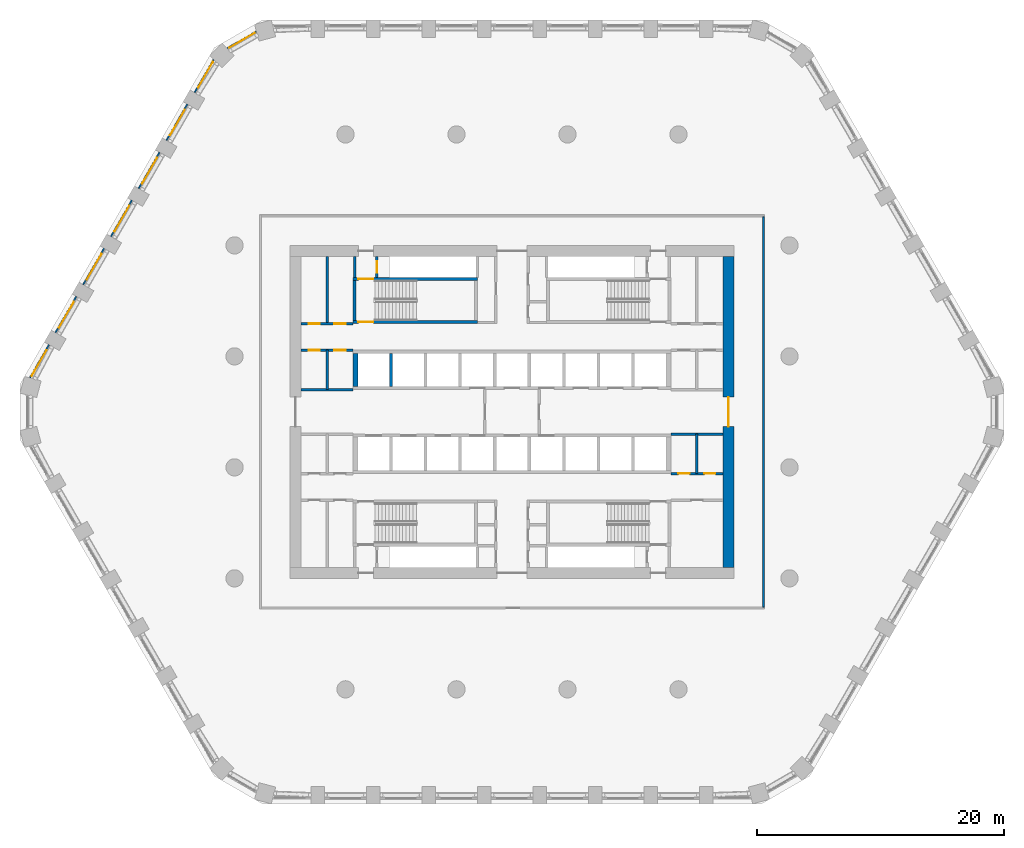
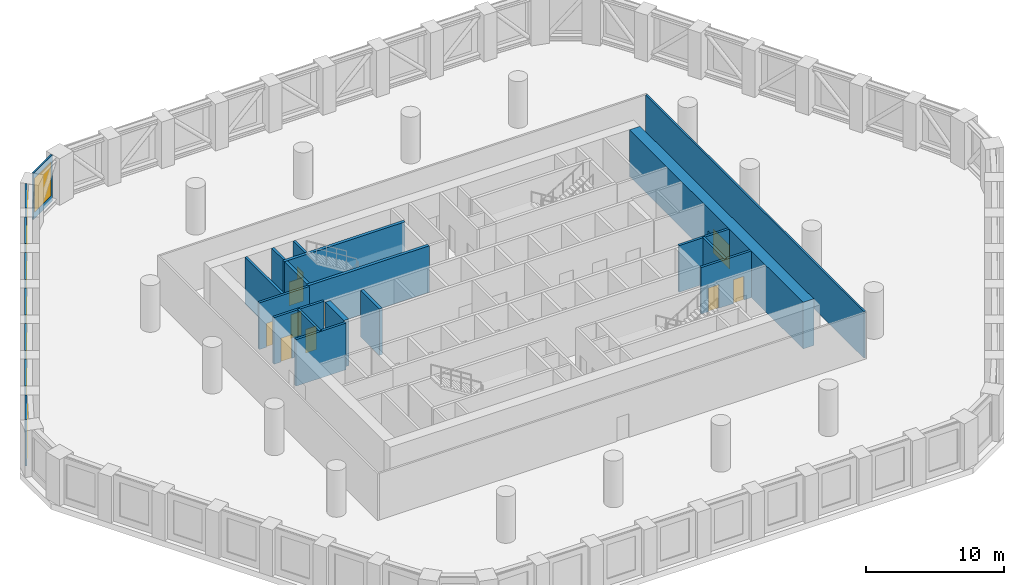
# One storey, part 6 of 18: 25 walls, 10 doors, 8 windows, 18 openings.
"""IFC4 building model written with IfcOpenShell, lengths in metres."""

from ifc_helpers import new_model, si_unit, direction, frame, frame_2d, origin, place, context, subcontext, project, spatial, polyline, rectangle, outline, extrude, material, layer, layer_set, type_object, element, fill, save


model = new_model("IFC4")

# Units and contexts
model_context = context("Model", 3, precision=1e-05, world=origin(), true_north=direction((0.0, 1.0)))
body_context = subcontext(model_context, "Body", "Model", "MODEL_VIEW")
ifc_project = project(units=[si_unit("LENGTHUNIT", "METRE"), si_unit("AREAUNIT", "SQUARE_METRE"), si_unit("VOLUMEUNIT", "CUBIC_METRE"), si_unit("PLANEANGLEUNIT", "RADIAN"), si_unit("MASSUNIT", "GRAM", prefix="KILO")], contexts=[model_context])

# Site, building, storey
site_placement = place(None, origin())
site = spatial("IfcSite", under=ifc_project, at=site_placement, CompositionType="ELEMENT")
building_placement = place(site_placement, origin())
building = spatial("IfcBuilding", under=site, at=building_placement, Name="Dhurran Vertical Campus", CompositionType="ELEMENT")
storey_placement = place(building_placement, frame((0.0, 0.0, 76.800048828125)))
storey = spatial("IfcBuildingStorey", under=building, at=storey_placement, Name="L18 Plant", CompositionType="ELEMENT", Elevation=76.800048828125)

# Wall, opening, window
ifc_material_1 = material(Name="Precast concrete C50/60", Category="concrete")
ifc_layer_1 = layer(ifc_material_1, 0.1201171875)
ifc_layer_set_1 = layer_set([ifc_layer_1], Name="Precast concrete C50/60")
wall_type_1 = type_object("IfcWallType", Name="Precast louvre-bay panel 120", PredefinedType="SOLIDWALL", material=ifc_layer_set_1)
wall_1_placement = place(storey_placement, frame((-20.7421875, 30.85107421875, 0.0), z_axis=(0.0, 0.0, 1.0), x_axis=(-0.866024081565, -0.500002290144, 0.0)))
wall_1 = element("IfcWall", 1, at=wall_1_placement, inside=storey, type_object=wall_type_1, Name="EW4 L18.35", PredefinedType="SOLIDWALL", context=body_context, shape_type="SweptSolid", body=[
    extrude(rectangle(XDim=2.71875, YDim=0.1201171875, at=frame_2d((1.359375, 0.0))), origin(), (0.0, 0.0, 1.0), 4.125),
])
opening_1_placement = place(wall_1_placement, frame((0.159423828125, 0.0, 0.60009765625)))
opening_1 = element("IfcOpeningElement", 2, at=opening_1_placement, cuts=wall_1, Name="Opening WT4", PredefinedType="OPENING", context=body_context, shape_type="SweptSolid", body=[
    extrude(rectangle(XDim=2.39990234375, YDim=3.0, at=frame_2d((1.199951171875, 1.5))), frame((0.0, 0.070068359375, 0.0), z_axis=(0.0, -1.0, 0.0), x_axis=(1.0, 0.0, 0.0)), (0.0, 0.0, 1.0), 0.14013671875),
])
ifc_material_2 = material(Name="Aluminium louvre", Category="aluminium")
window_type = type_object("IfcWindowType", Name="Louvred plant vent 2400 x 3000", PartitioningType="SINGLE_PANEL", PredefinedType="WINDOW", material=ifc_material_2)
window_1_placement = place(opening_1_placement, origin())
window_1 = element("IfcWindow", 3, at=window_1_placement, inside=storey, type_object=window_type, Name="WT4 L18.35", OverallHeight=3.0, OverallWidth=2.39990234375, PartitioningType="SINGLE_PANEL", PredefinedType="WINDOW", context=body_context, shape_type="SweptSolid", body=[
    extrude(rectangle(XDim=2.39990234375, YDim=3.0, at=frame_2d((1.199951171875, 1.5))), frame((0.0, 0.06005859375, 0.0), z_axis=(0.0, -1.0, 0.0), x_axis=(1.0, 0.0, 0.0)), (0.0, 0.0, 1.0), 0.02001953125),
])
fill(opening_1, window_1)

wall_2_placement = place(storey_placement, frame((-24.19677734375, 28.567138671875, 0.0), z_axis=(0.0, 0.0, 1.0), x_axis=(-0.49996174997, -0.866047486323, 0.0)))
wall_2 = element("IfcWall", 4, at=wall_2_placement, inside=storey, type_object=wall_type_1, Name="EW4 L18.36", PredefinedType="SOLIDWALL", context=body_context, shape_type="SweptSolid", body=[
    extrude(rectangle(XDim=3.091064453125, YDim=0.1201171875, at=frame_2d((1.54541015625, 0.0))), origin(), (0.0, 0.0, 1.0), 4.125),
])
opening_2_placement = place(wall_2_placement, frame((0.19140625, 0.0, 0.60009765625)))
opening_2 = element("IfcOpeningElement", 5, at=opening_2_placement, cuts=wall_2, Name="Opening WT4", PredefinedType="OPENING", context=body_context, shape_type="SweptSolid", body=[
    extrude(rectangle(XDim=2.39990234375, YDim=3.0, at=frame_2d((1.199951171875, 1.5))), frame((0.0, 0.070068359375, 0.0), z_axis=(0.0, -1.0, 0.0), x_axis=(1.0, 0.0, 0.0)), (0.0, 0.0, 1.0), 0.14013671875),
])
window_2_placement = place(opening_2_placement, origin())
window_2 = element("IfcWindow", 6, at=window_2_placement, inside=storey, type_object=window_type, Name="WT4 L18.36", OverallHeight=3.0, OverallWidth=2.39990234375, PartitioningType="SINGLE_PANEL", PredefinedType="WINDOW", context=body_context, shape_type="SweptSolid", body=[
    extrude(rectangle(XDim=2.39990234375, YDim=3.0, at=frame_2d((1.199951171875, 1.5))), frame((0.0, 0.06005859375, 0.0), z_axis=(0.0, -1.0, 0.0), x_axis=(1.0, 0.0, 0.0)), (0.0, 0.0, 1.0), 0.02001953125),
])
fill(opening_2, window_2)

wall_3_placement = place(storey_placement, frame((-26.3251953125, 24.95556640625, 0.0), z_axis=(0.0, 0.0, 1.0), x_axis=(-0.499993955907, -0.866028893315, 0.0)))
wall_3 = element("IfcWall", 7, at=wall_3_placement, inside=storey, type_object=wall_type_1, Name="EW4 L18.37", PredefinedType="SOLIDWALL", context=body_context, shape_type="SweptSolid", body=[
    extrude(rectangle(XDim=3.39892578125, YDim=0.1201171875, at=frame_2d((1.699462890625, 0.0))), origin(), (0.0, 0.0, 1.0), 4.125),
])
opening_3_placement = place(wall_3_placement, frame((0.49951171875, 0.0, 0.60009765625)))
opening_3 = element("IfcOpeningElement", 8, at=opening_3_placement, cuts=wall_3, Name="Opening WT4", PredefinedType="OPENING", context=body_context, shape_type="SweptSolid", body=[
    extrude(rectangle(XDim=2.39990234375, YDim=3.0, at=frame_2d((1.199951171875, 1.5))), frame((0.0, 0.070068359375, 0.0), z_axis=(0.0, -1.0, 0.0), x_axis=(1.0, 0.0, 0.0)), (0.0, 0.0, 1.0), 0.14013671875),
])
window_3_placement = place(opening_3_placement, origin())
window_3 = element("IfcWindow", 9, at=window_3_placement, inside=storey, type_object=window_type, Name="WT4 L18.37", OverallHeight=3.0, OverallWidth=2.39990234375, PartitioningType="SINGLE_PANEL", PredefinedType="WINDOW", context=body_context, shape_type="SweptSolid", body=[
    extrude(rectangle(XDim=2.39990234375, YDim=3.0, at=frame_2d((1.199951171875, 1.5))), frame((0.0, 0.06005859375, 0.0), z_axis=(0.0, -1.0, 0.0), x_axis=(1.0, 0.0, 0.0)), (0.0, 0.0, 1.0), 0.02001953125),
])
fill(opening_3, window_3)

wall_4_placement = place(storey_placement, frame((-28.5751953125, 21.058349609375, 0.0), z_axis=(0.0, 0.0, 1.0), x_axis=(-0.499993955907, -0.866028893315, 0.0)))
wall_4 = element("IfcWall", 10, at=wall_4_placement, inside=storey, type_object=wall_type_1, Name="EW4 L18.38", PredefinedType="SOLIDWALL", context=body_context, shape_type="SweptSolid", body=[
    extrude(rectangle(XDim=3.39892578125, YDim=0.1201171875, at=frame_2d((1.699462890625, 0.0))), origin(), (0.0, 0.0, 1.0), 4.125),
])
opening_4_placement = place(wall_4_placement, frame((0.49951171875, 0.0, 0.60009765625)))
opening_4 = element("IfcOpeningElement", 11, at=opening_4_placement, cuts=wall_4, Name="Opening WT4", PredefinedType="OPENING", context=body_context, shape_type="SweptSolid", body=[
    extrude(rectangle(XDim=2.39990234375, YDim=3.0, at=frame_2d((1.199951171875, 1.5))), frame((0.0, 0.070068359375, 0.0), z_axis=(0.0, -1.0, 0.0), x_axis=(1.0, 0.0, 0.0)), (0.0, 0.0, 1.0), 0.14013671875),
])
window_4_placement = place(opening_4_placement, origin())
window_4 = element("IfcWindow", 12, at=window_4_placement, inside=storey, type_object=window_type, Name="WT4 L18.38", OverallHeight=3.0, OverallWidth=2.39990234375, PartitioningType="SINGLE_PANEL", PredefinedType="WINDOW", context=body_context, shape_type="SweptSolid", body=[
    extrude(rectangle(XDim=2.39990234375, YDim=3.0, at=frame_2d((1.199951171875, 1.5))), frame((0.0, 0.06005859375, 0.0), z_axis=(0.0, -1.0, 0.0), x_axis=(1.0, 0.0, 0.0)), (0.0, 0.0, 1.0), 0.02001953125),
])
fill(opening_4, window_4)

wall_5_placement = place(storey_placement, frame((-30.8251953125, 17.1611328125, 0.0), z_axis=(0.0, 0.0, 1.0), x_axis=(-0.499993955907, -0.866028893315, 0.0)))
wall_5 = element("IfcWall", 13, at=wall_5_placement, inside=storey, type_object=wall_type_1, Name="EW4 L18.39", PredefinedType="SOLIDWALL", context=body_context, shape_type="SweptSolid", body=[
    extrude(rectangle(XDim=3.39892578125, YDim=0.1201171875, at=frame_2d((1.699462890625, 0.0))), origin(), (0.0, 0.0, 1.0), 4.125),
])
opening_5_placement = place(wall_5_placement, frame((0.49951171875, 0.0, 0.60009765625)))
opening_5 = element("IfcOpeningElement", 14, at=opening_5_placement, cuts=wall_5, Name="Opening WT4", PredefinedType="OPENING", context=body_context, shape_type="SweptSolid", body=[
    extrude(rectangle(XDim=2.39990234375, YDim=3.0, at=frame_2d((1.199951171875, 1.5))), frame((0.0, 0.070068359375, 0.0), z_axis=(0.0, -1.0, 0.0), x_axis=(1.0, 0.0, 0.0)), (0.0, 0.0, 1.0), 0.14013671875),
])
window_5_placement = place(opening_5_placement, origin())
window_5 = element("IfcWindow", 15, at=window_5_placement, inside=storey, type_object=window_type, Name="WT4 L18.39", OverallHeight=3.0, OverallWidth=2.39990234375, PartitioningType="SINGLE_PANEL", PredefinedType="WINDOW", context=body_context, shape_type="SweptSolid", body=[
    extrude(rectangle(XDim=2.39990234375, YDim=3.0, at=frame_2d((1.199951171875, 1.5))), frame((0.0, 0.06005859375, 0.0), z_axis=(0.0, -1.0, 0.0), x_axis=(1.0, 0.0, 0.0)), (0.0, 0.0, 1.0), 0.02001953125),
])
fill(opening_5, window_5)

wall_6_placement = place(storey_placement, frame((-33.0751953125, 13.26416015625, 0.0), z_axis=(0.0, 0.0, 1.0), x_axis=(-0.499993955907, -0.866028893315, 0.0)))
wall_6 = element("IfcWall", 16, at=wall_6_placement, inside=storey, type_object=wall_type_1, Name="EW4 L18.40", PredefinedType="SOLIDWALL", context=body_context, shape_type="SweptSolid", body=[
    extrude(rectangle(XDim=3.39892578125, YDim=0.1201171875, at=frame_2d((1.699462890625, 0.0))), origin(), (0.0, 0.0, 1.0), 4.125),
])
opening_6_placement = place(wall_6_placement, frame((0.49951171875, 0.0, 0.60009765625)))
opening_6 = element("IfcOpeningElement", 17, at=opening_6_placement, cuts=wall_6, Name="Opening WT4", PredefinedType="OPENING", context=body_context, shape_type="SweptSolid", body=[
    extrude(rectangle(XDim=2.39990234375, YDim=3.0, at=frame_2d((1.199951171875, 1.5))), frame((0.0, 0.070068359375, 0.0), z_axis=(0.0, -1.0, 0.0), x_axis=(1.0, 0.0, 0.0)), (0.0, 0.0, 1.0), 0.14013671875),
])
window_6_placement = place(opening_6_placement, origin())
window_6 = element("IfcWindow", 18, at=window_6_placement, inside=storey, type_object=window_type, Name="WT4 L18.40", OverallHeight=3.0, OverallWidth=2.39990234375, PartitioningType="SINGLE_PANEL", PredefinedType="WINDOW", context=body_context, shape_type="SweptSolid", body=[
    extrude(rectangle(XDim=2.39990234375, YDim=3.0, at=frame_2d((1.199951171875, 1.5))), frame((0.0, 0.06005859375, 0.0), z_axis=(0.0, -1.0, 0.0), x_axis=(1.0, 0.0, 0.0)), (0.0, 0.0, 1.0), 0.02001953125),
])
fill(opening_6, window_6)

wall_7_placement = place(storey_placement, frame((-35.3251953125, 9.366943359375, 0.0), z_axis=(0.0, 0.0, 1.0), x_axis=(-0.499993955907, -0.866028893315, 0.0)))
wall_7 = element("IfcWall", 19, at=wall_7_placement, inside=storey, type_object=wall_type_1, Name="EW4 L18.41", PredefinedType="SOLIDWALL", context=body_context, shape_type="SweptSolid", body=[
    extrude(rectangle(XDim=3.39892578125, YDim=0.1201171875, at=frame_2d((1.699462890625, 0.0))), origin(), (0.0, 0.0, 1.0), 4.125),
])
opening_7_placement = place(wall_7_placement, frame((0.49951171875, 0.0, 0.60009765625)))
opening_7 = element("IfcOpeningElement", 20, at=opening_7_placement, cuts=wall_7, Name="Opening WT4", PredefinedType="OPENING", context=body_context, shape_type="SweptSolid", body=[
    extrude(rectangle(XDim=2.39990234375, YDim=3.0, at=frame_2d((1.199951171875, 1.5))), frame((0.0, 0.070068359375, 0.0), z_axis=(0.0, -1.0, 0.0), x_axis=(1.0, 0.0, 0.0)), (0.0, 0.0, 1.0), 0.14013671875),
])
window_7_placement = place(opening_7_placement, origin())
window_7 = element("IfcWindow", 21, at=window_7_placement, inside=storey, type_object=window_type, Name="WT4 L18.41", OverallHeight=3.0, OverallWidth=2.39990234375, PartitioningType="SINGLE_PANEL", PredefinedType="WINDOW", context=body_context, shape_type="SweptSolid", body=[
    extrude(rectangle(XDim=2.39990234375, YDim=3.0, at=frame_2d((1.199951171875, 1.5))), frame((0.0, 0.06005859375, 0.0), z_axis=(0.0, -1.0, 0.0), x_axis=(1.0, 0.0, 0.0)), (0.0, 0.0, 1.0), 0.02001953125),
])
fill(opening_7, window_7)

wall_8_placement = place(storey_placement, frame((-37.542724609375, 5.451171875, 0.0), z_axis=(0.0, 0.0, 1.0), x_axis=(-0.499995950774, -0.866027741594, 0.0)))
wall_8 = element("IfcWall", 22, at=wall_8_placement, inside=storey, type_object=wall_type_1, Name="EW4 L18.42", PredefinedType="SOLIDWALL", context=body_context, shape_type="SweptSolid", body=[
    extrude(rectangle(XDim=3.0908203125, YDim=0.1201171875, at=frame_2d((1.54541015625, 0.0))), origin(), (0.0, 0.0, 1.0), 4.125),
])
opening_8_placement = place(wall_8_placement, frame((0.49951171875, 0.0, 0.60009765625)))
opening_8 = element("IfcOpeningElement", 23, at=opening_8_placement, cuts=wall_8, Name="Opening WT4", PredefinedType="OPENING", context=body_context, shape_type="SweptSolid", body=[
    extrude(rectangle(XDim=2.39990234375, YDim=3.0, at=frame_2d((1.199951171875, 1.5))), frame((0.0, 0.070068359375, 0.0), z_axis=(0.0, -1.0, 0.0), x_axis=(1.0, 0.0, 0.0)), (0.0, 0.0, 1.0), 0.14013671875),
])
window_8_placement = place(opening_8_placement, origin())
window_8 = element("IfcWindow", 24, at=window_8_placement, inside=storey, type_object=window_type, Name="WT4 L18.42", OverallHeight=3.0, OverallWidth=2.39990234375, PartitioningType="SINGLE_PANEL", PredefinedType="WINDOW", context=body_context, shape_type="SweptSolid", body=[
    extrude(rectangle(XDim=2.39990234375, YDim=3.0, at=frame_2d((1.199951171875, 1.5))), frame((0.0, 0.06005859375, 0.0), z_axis=(0.0, -1.0, 0.0), x_axis=(1.0, 0.0, 0.0)), (0.0, 0.0, 1.0), 0.02001953125),
])
fill(opening_8, window_8)

# Wall, opening, door
ifc_material_3 = material(Name="Concrete C60/75", Category="concrete")
ifc_layer_2 = layer(ifc_material_3, 0.89990234375)
ifc_layer_set_2 = layer_set([ifc_layer_2], Name="Concrete C60/75")
wall_type_2 = type_object("IfcWallType", Name="co-CORE-WALL-C0-900", PredefinedType="SHEAR", material=ifc_layer_set_2)
wall_9_placement = place(storey_placement, frame((17.550048828125, -12.60009765625, 0.0), z_axis=(0.0, 0.0, 1.0), x_axis=(0.0, 1.0, 0.0)))
wall_9 = element("IfcWall", 25, at=wall_9_placement, inside=storey, type_object=wall_type_2, Name="Core wall E L18", PredefinedType="SHEAR", context=body_context, shape_type="SweptSolid", body=[
    extrude(rectangle(XDim=25.2001953125, YDim=0.89990234375, at=frame_2d((12.60009765625, 0.0))), origin(), (0.0, 0.0, 1.0), 4.125),
])
opening_9_placement = place(wall_9_placement, frame((11.39990234375, 0.0, 0.0)))
opening_9 = element("IfcOpeningElement", 26, at=opening_9_placement, cuts=wall_9, Name="Opening CL2", PredefinedType="OPENING", context=body_context, shape_type="SweptSolid", body=[
    extrude(rectangle(XDim=2.39990234375, YDim=2.10009765625, at=frame_2d((1.199951171875, 1.050048828125))), frame((0.0, 0.4599609375, 0.0), z_axis=(0.0, -1.0, 0.0), x_axis=(1.0, 0.0, 0.0)), (0.0, 0.0, 1.0), 0.919921875),
])
ifc_material_4 = material(Name="Fire-rated glazed door set")
door_type_1 = type_object("IfcDoorType", Name="co-D-LOBBY 2400x2100", OperationType="DOUBLE_DOOR_DOUBLE_SWING", PredefinedType="DOOR", material=ifc_material_4)
door_1_placement = place(opening_9_placement, origin())
door_1 = element("IfcDoor", 27, at=door_1_placement, inside=storey, type_object=door_type_1, Name="Lift lobby door E L18", OperationType="DOUBLE_DOOR_DOUBLE_SWING", OverallHeight=2.10009765625, OverallWidth=2.39990234375, PredefinedType="DOOR", context=body_context, shape_type="SweptSolid", body=[
    extrude(rectangle(XDim=2.39990234375, YDim=2.10009765625, at=frame_2d((1.199951171875, 1.050048828125))), frame((0.0, 0.02490234375, 0.0), z_axis=(0.0, -1.0, 0.0), x_axis=(1.0, 0.0, 0.0)), (0.0, 0.0, 1.0), 0.050048828125),
])
fill(opening_9, door_1)

# Wall
ifc_material_5 = material(Name="Fire-rated masonry blockwork", Category="masonry")
ifc_layer_3 = layer(ifc_material_5, 0.199951171875)
ifc_layer_set_3 = layer_set([ifc_layer_3], Name="Fire-rated masonry blockwork")
wall_type_3 = type_object("IfcWallType", Name="co-FIRE-PARTITION-200", PredefinedType="PARTITIONING", material=ifc_layer_set_3)
wall_10_placement = place(storey_placement, frame((-12.75, 10.89990234375, 0.0), z_axis=(0.0, 0.0, 1.0), x_axis=(0.0, 1.0, 0.0)))
element("IfcWall", 28, at=wall_10_placement, inside=storey, type_object=wall_type_3, Name="Core partition pass-ST1-o L18", PredefinedType="PARTITIONING", context=body_context, shape_type="SweptSolid", body=[
    extrude(rectangle(XDim=1.7001953125, YDim=0.199951171875, at=frame_2d((0.85009765625, 0.0))), origin(), (0.0, 0.0, 1.0), 4.125),
])

# Wall, opening, door
wall_11_placement = place(storey_placement, frame((-10.949951171875, 10.89990234375, 0.0), z_axis=(0.0, 0.0, 1.0), x_axis=(0.0, 1.0, 0.0)))
wall_11 = element("IfcWall", 29, at=wall_11_placement, inside=storey, type_object=wall_type_3, Name="Core partition pass-ST1-i L18", PredefinedType="PARTITIONING", context=body_context, shape_type="SweptSolid", body=[
    extrude(rectangle(XDim=1.7001953125, YDim=0.199951171875, at=frame_2d((0.85009765625, 0.0))), origin(), (0.0, 0.0, 1.0), 4.125),
])
opening_10_placement = place(wall_11_placement, frame((0.39990234375, 0.0, 0.0)))
opening_10 = element("IfcOpeningElement", 30, at=opening_10_placement, cuts=wall_11, Name="Opening BR18-C10", PredefinedType="OPENING", context=body_context, shape_type="SweptSolid", body=[
    extrude(rectangle(XDim=0.89990234375, YDim=2.10009765625, at=frame_2d((0.449951171875, 1.050048828125))), frame((0.0, 0.10986328125, 0.0), z_axis=(0.0, -1.0, 0.0), x_axis=(1.0, 0.0, 0.0)), (0.0, 0.0, 1.0), 0.219970703125),
])
ifc_material_6 = material(Name="Fire-rated timber door set", Category="wood")
door_type_2 = type_object("IfcDoorType", Name="co-D-ROOM 900x2100", OperationType="SINGLE_SWING_LEFT", PredefinedType="DOOR", material=ifc_material_6)
door_2_placement = place(opening_10_placement, origin())
door_2 = element("IfcDoor", 31, at=door_2_placement, inside=storey, type_object=door_type_2, Name="Riser room door L18", OperationType="SINGLE_SWING_LEFT", OverallHeight=2.10009765625, OverallWidth=0.89990234375, PredefinedType="DOOR", context=body_context, shape_type="SweptSolid", body=[
    extrude(rectangle(XDim=0.89990234375, YDim=2.10009765625, at=frame_2d((0.449951171875, 1.050048828125))), frame((0.0, 0.02490234375, 0.0), z_axis=(0.0, -1.0, 0.0), x_axis=(1.0, 0.0, 0.0)), (0.0, 0.0, 1.0), 0.050048828125),
])
fill(opening_10, door_2)

# Wall
wall_12_placement = place(storey_placement, frame((-15.0, 7.14990234375, 0.0), z_axis=(0.0, 0.0, 1.0), x_axis=(0.0, 1.0, 0.0)))
element("IfcWall", 32, at=wall_12_placement, inside=storey, type_object=wall_type_3, Name="Core partition en-NW-cut0 L18", PredefinedType="PARTITIONING", context=body_context, shape_type="SweptSolid", body=[
    extrude(rectangle(XDim=5.4501953125, YDim=0.199951171875, at=frame_2d((2.72509765625, 0.0))), origin(), (0.0, 0.0, 1.0), 4.125),
])

# Wall, openings, doors
wall_13_placement = place(storey_placement, frame((-17.10009765625, 7.14990234375, 0.0), z_axis=(0.0, 0.0, 1.0), x_axis=(1.0, 0.0, 0.0)))
wall_13 = element("IfcWall", 33, at=wall_13_placement, inside=storey, type_object=wall_type_3, Name="Core partition en-NW-w L18", PredefinedType="PARTITIONING", context=body_context, shape_type="SweptSolid", body=[
    extrude(rectangle(XDim=4.2001953125, YDim=0.199951171875, at=frame_2d((2.10009765625, 0.0))), origin(), (0.0, 0.0, 1.0), 4.125),
])
opening_11_placement = place(wall_13_placement, frame((0.60009765625, 0.0, 0.0)))
opening_11 = element("IfcOpeningElement", 34, at=opening_11_placement, cuts=wall_13, Name="Opening BR18-C14", PredefinedType="OPENING", context=body_context, shape_type="SweptSolid", body=[
    extrude(rectangle(XDim=0.89990234375, YDim=2.10009765625, at=frame_2d((0.449951171875, 1.050048828125))), frame((0.0, 0.10986328125, 0.0), z_axis=(0.0, -1.0, 0.0), x_axis=(1.0, 0.0, 0.0)), (0.0, 0.0, 1.0), 0.219970703125),
])
opening_12_placement = place(wall_13_placement, frame((2.699951171875, 0.0, 0.0)))
opening_12 = element("IfcOpeningElement", 35, at=opening_12_placement, cuts=wall_13, Name="Opening BR18-C15", PredefinedType="OPENING", context=body_context, shape_type="SweptSolid", body=[
    extrude(rectangle(XDim=0.89990234375, YDim=2.10009765625, at=frame_2d((0.449951171875, 1.050048828125))), frame((0.0, 0.10986328125, 0.0), z_axis=(0.0, -1.0, 0.0), x_axis=(1.0, 0.0, 0.0)), (0.0, 0.0, 1.0), 0.219970703125),
])
door_3_placement = place(opening_11_placement, origin())
door_3 = element("IfcDoor", 36, at=door_3_placement, inside=storey, type_object=door_type_2, Name="Generator room door L18", OperationType="SINGLE_SWING_LEFT", OverallHeight=2.10009765625, OverallWidth=0.89990234375, PredefinedType="DOOR", context=body_context, shape_type="SweptSolid", body=[
    extrude(rectangle(XDim=0.89990234375, YDim=2.10009765625, at=frame_2d((0.449951171875, 1.050048828125))), frame((0.0, 0.02490234375, 0.0), z_axis=(0.0, -1.0, 0.0), x_axis=(1.0, 0.0, 0.0)), (0.0, 0.0, 1.0), 0.050048828125),
])
fill(opening_11, door_3)
door_4_placement = place(opening_12_placement, origin())
door_4 = element("IfcDoor", 37, at=door_4_placement, inside=storey, type_object=door_type_2, Name="Air handling plant room door L18", OperationType="SINGLE_SWING_LEFT", OverallHeight=2.10009765625, OverallWidth=0.89990234375, PredefinedType="DOOR", context=body_context, shape_type="SweptSolid", body=[
    extrude(rectangle(XDim=0.89990234375, YDim=2.10009765625, at=frame_2d((0.449951171875, 1.050048828125))), frame((0.0, 0.02490234375, 0.0), z_axis=(0.0, -1.0, 0.0), x_axis=(1.0, 0.0, 0.0)), (0.0, 0.0, 1.0), 0.050048828125),
])
fill(opening_12, door_4)

# Wall
wall_14_placement = place(storey_placement, frame((-15.0, 1.800048828125, 0.0), z_axis=(0.0, 0.0, 1.0), x_axis=(0.0, 1.0, 0.0)))
element("IfcWall", 38, at=wall_14_placement, inside=storey, type_object=wall_type_3, Name="Core partition es-NW-cut0 L18", PredefinedType="PARTITIONING", context=body_context, shape_type="SweptSolid", body=[
    extrude(rectangle(XDim=3.199951171875, YDim=0.199951171875, at=frame_2d((1.60009765625, 0.0))), origin(), (0.0, 0.0, 1.0), 4.125),
])

# Wall, openings, doors
wall_15_placement = place(storey_placement, frame((-17.10009765625, 5.0, 0.0), z_axis=(0.0, 0.0, 1.0), x_axis=(1.0, 0.0, 0.0)))
wall_15 = element("IfcWall", 39, at=wall_15_placement, inside=storey, type_object=wall_type_3, Name="Core partition es-NW-w L18", PredefinedType="PARTITIONING", context=body_context, shape_type="SweptSolid", body=[
    extrude(rectangle(XDim=4.2001953125, YDim=0.199951171875, at=frame_2d((2.10009765625, 0.0))), origin(), (0.0, 0.0, 1.0), 4.125),
])
opening_13_placement = place(wall_15_placement, frame((0.60009765625, 0.0, 0.0)))
opening_13 = element("IfcOpeningElement", 40, at=opening_13_placement, cuts=wall_15, Name="Opening BR18-C16", PredefinedType="OPENING", context=body_context, shape_type="SweptSolid", body=[
    extrude(rectangle(XDim=0.89990234375, YDim=2.10009765625, at=frame_2d((0.449951171875, 1.050048828125))), frame((0.0, 0.10986328125, 0.0), z_axis=(0.0, -1.0, 0.0), x_axis=(1.0, 0.0, 0.0)), (0.0, 0.0, 1.0), 0.219970703125),
])
opening_14_placement = place(wall_15_placement, frame((2.699951171875, 0.0, 0.0)))
opening_14 = element("IfcOpeningElement", 41, at=opening_14_placement, cuts=wall_15, Name="Opening BR18-C17", PredefinedType="OPENING", context=body_context, shape_type="SweptSolid", body=[
    extrude(rectangle(XDim=0.89990234375, YDim=2.10009765625, at=frame_2d((0.449951171875, 1.050048828125))), frame((0.0, 0.10986328125, 0.0), z_axis=(0.0, -1.0, 0.0), x_axis=(1.0, 0.0, 0.0)), (0.0, 0.0, 1.0), 0.219970703125),
])
door_5_placement = place(opening_13_placement, origin())
door_5 = element("IfcDoor", 42, at=door_5_placement, inside=storey, type_object=door_type_2, Name="Transformer room door L18", OperationType="SINGLE_SWING_LEFT", OverallHeight=2.10009765625, OverallWidth=0.89990234375, PredefinedType="DOOR", context=body_context, shape_type="SweptSolid", body=[
    extrude(rectangle(XDim=0.89990234375, YDim=2.10009765625, at=frame_2d((0.449951171875, 1.050048828125))), frame((0.0, 0.02490234375, 0.0), z_axis=(0.0, -1.0, 0.0), x_axis=(1.0, 0.0, 0.0)), (0.0, 0.0, 1.0), 0.050048828125),
])
fill(opening_13, door_5)
door_6_placement = place(opening_14_placement, origin())
door_6 = element("IfcDoor", 43, at=door_6_placement, inside=storey, type_object=door_type_2, Name="Transformer room door L18", OperationType="SINGLE_SWING_LEFT", OverallHeight=2.10009765625, OverallWidth=0.89990234375, PredefinedType="DOOR", context=body_context, shape_type="SweptSolid", body=[
    extrude(rectangle(XDim=0.89990234375, YDim=2.10009765625, at=frame_2d((0.449951171875, 1.050048828125))), frame((0.0, 0.02490234375, 0.0), z_axis=(0.0, -1.0, 0.0), x_axis=(1.0, 0.0, 0.0)), (0.0, 0.0, 1.0), 0.050048828125),
])
fill(opening_14, door_6)

# Walls
wall_16_placement = place(storey_placement, frame((-17.10009765625, 1.800048828125, 0.0), z_axis=(0.0, 0.0, 1.0), x_axis=(1.0, 0.0, 0.0)))
element("IfcWall", 44, at=wall_16_placement, inside=storey, type_object=wall_type_3, Name="Core partition es-NW-l L18", PredefinedType="PARTITIONING", context=body_context, shape_type="SweptSolid", body=[
    extrude(rectangle(XDim=4.2001953125, YDim=0.199951171875, at=frame_2d((2.10009765625, 0.0))), origin(), (0.0, 0.0, 1.0), 4.125),
])
wall_17_placement = place(storey_placement, frame((15.0, -5.0, 0.0), z_axis=(0.0, 0.0, 1.0), x_axis=(0.0, 1.0, 0.0)))
element("IfcWall", 45, at=wall_17_placement, inside=storey, type_object=wall_type_3, Name="Core partition es-SE-cut0 L18", PredefinedType="PARTITIONING", context=body_context, shape_type="SweptSolid", body=[
    extrude(rectangle(XDim=3.199951171875, YDim=0.199951171875, at=frame_2d((1.60009765625, 0.0))), origin(), (0.0, 0.0, 1.0), 4.125),
])

# Wall, openings, doors
wall_18_placement = place(storey_placement, frame((12.89990234375, -5.0, 0.0), z_axis=(0.0, 0.0, 1.0), x_axis=(1.0, 0.0, 0.0)))
wall_18 = element("IfcWall", 46, at=wall_18_placement, inside=storey, type_object=wall_type_3, Name="Core partition es-SE-w L18", PredefinedType="PARTITIONING", context=body_context, shape_type="SweptSolid", body=[
    extrude(rectangle(XDim=4.2001953125, YDim=0.199951171875, at=frame_2d((2.10009765625, 0.0))), origin(), (0.0, 0.0, 1.0), 4.125),
])
opening_15_placement = place(wall_18_placement, frame((0.60009765625, 0.0, 0.0)))
opening_15 = element("IfcOpeningElement", 47, at=opening_15_placement, cuts=wall_18, Name="Opening BR18-C27", PredefinedType="OPENING", context=body_context, shape_type="SweptSolid", body=[
    extrude(rectangle(XDim=0.89990234375, YDim=2.10009765625, at=frame_2d((0.449951171875, 1.050048828125))), frame((0.0, 0.10986328125, 0.0), z_axis=(0.0, -1.0, 0.0), x_axis=(1.0, 0.0, 0.0)), (0.0, 0.0, 1.0), 0.219970703125),
])
opening_16_placement = place(wall_18_placement, frame((2.699951171875, 0.0, 0.0)))
opening_16 = element("IfcOpeningElement", 48, at=opening_16_placement, cuts=wall_18, Name="Opening BR18-C28", PredefinedType="OPENING", context=body_context, shape_type="SweptSolid", body=[
    extrude(rectangle(XDim=0.89990234375, YDim=2.10009765625, at=frame_2d((0.449951171875, 1.050048828125))), frame((0.0, 0.10986328125, 0.0), z_axis=(0.0, -1.0, 0.0), x_axis=(1.0, 0.0, 0.0)), (0.0, 0.0, 1.0), 0.219970703125),
])
door_7_placement = place(opening_15_placement, origin())
door_7 = element("IfcDoor", 49, at=door_7_placement, inside=storey, type_object=door_type_2, Name="Generator room door L18", OperationType="SINGLE_SWING_LEFT", OverallHeight=2.10009765625, OverallWidth=0.89990234375, PredefinedType="DOOR", context=body_context, shape_type="SweptSolid", body=[
    extrude(rectangle(XDim=0.89990234375, YDim=2.10009765625, at=frame_2d((0.449951171875, 1.050048828125))), frame((0.0, 0.02490234375, 0.0), z_axis=(0.0, -1.0, 0.0), x_axis=(1.0, 0.0, 0.0)), (0.0, 0.0, 1.0), 0.050048828125),
])
fill(opening_15, door_7)
door_8_placement = place(opening_16_placement, origin())
door_8 = element("IfcDoor", 50, at=door_8_placement, inside=storey, type_object=door_type_2, Name="Pump room door L18", OperationType="SINGLE_SWING_LEFT", OverallHeight=2.10009765625, OverallWidth=0.89990234375, PredefinedType="DOOR", context=body_context, shape_type="SweptSolid", body=[
    extrude(rectangle(XDim=0.89990234375, YDim=2.10009765625, at=frame_2d((0.449951171875, 1.050048828125))), frame((0.0, 0.02490234375, 0.0), z_axis=(0.0, -1.0, 0.0), x_axis=(1.0, 0.0, 0.0)), (0.0, 0.0, 1.0), 0.050048828125),
])
fill(opening_16, door_8)

# Walls
wall_19_placement = place(storey_placement, frame((12.89990234375, -1.800048828125, 0.0), z_axis=(0.0, 0.0, 1.0), x_axis=(1.0, 0.0, 0.0)))
element("IfcWall", 51, at=wall_19_placement, inside=storey, type_object=wall_type_3, Name="Core partition es-SE-l L18", PredefinedType="PARTITIONING", context=body_context, shape_type="SweptSolid", body=[
    extrude(rectangle(XDim=4.2001953125, YDim=0.199951171875, at=frame_2d((2.10009765625, 0.0))), origin(), (0.0, 0.0, 1.0), 4.125),
])
ifc_material_7 = material(Name="Concrete C50/60", Category="concrete")
ifc_layer_4 = layer(ifc_material_7, 0.25)
ifc_layer_set_4 = layer_set([ifc_layer_4], Name="Concrete C50/60")
wall_type_4 = type_object("IfcWallType", Name="co-SHAFT-MASS-250", PredefinedType="SHEAR", material=ifc_layer_set_4)
wall_20_placement = place(storey_placement, origin())
element("IfcWall", 52, at=wall_20_placement, inside=storey, type_object=wall_type_4, Name="Lift shaft wall N L18 2", PredefinedType="SHEAR", context=body_context, shape_type="SweptSolid", body=[
    extrude(outline(polyline([(-12.89990234375, 2.050048828125), (-12.47509765625, 2.050048828125), (-12.47509765625, 4.75), (-12.89990234375, 4.75), (-12.89990234375, 2.050048828125)])), origin(), (0.0, 0.0, 1.0), 4.125),
])
wall_21_placement = place(storey_placement, origin())
element("IfcWall", 53, at=wall_21_placement, inside=storey, type_object=wall_type_4, Name="Lift shaft wall N L18 3", PredefinedType="SHEAR", context=body_context, shape_type="SweptSolid", body=[
    extrude(outline(polyline([(-9.925048828125, 2.050048828125), (-9.675048828125, 2.050048828125), (-9.675048828125, 4.75), (-9.925048828125, 4.75), (-9.925048828125, 2.050048828125)])), origin(), (0.0, 0.0, 1.0), 4.125),
])

# Wall, opening, door
ifc_material_8 = material(Name="Concrete C40/50", Category="concrete")
ifc_layer_5 = layer(ifc_material_8, 0.25)
ifc_layer_set_5 = layer_set([ifc_layer_5], Name="Concrete C40/50")
wall_type_5 = type_object("IfcWallType", Name="co-STAIR-WALL-250", PredefinedType="SHEAR", material=ifc_layer_set_5)
wall_22_placement = place(storey_placement, frame((-12.89990234375, 7.27490234375, 0.0), z_axis=(0.0, 0.0, 1.0), x_axis=(1.0, 0.0, 0.0)))
wall_22 = element("IfcWall", 54, at=wall_22_placement, inside=storey, type_object=wall_type_5, Name="Stair ST1 enclosure wall L18", PredefinedType="SHEAR", context=body_context, shape_type="SweptSolid", body=[
    extrude(rectangle(XDim=10.099853515625, YDim=0.25, at=frame_2d((5.0498046875, 0.0))), origin(), (0.0, 0.0, 1.0), 4.125),
])
opening_17_placement = place(wall_22_placement, frame((0.449951171875, 0.0, 0.0)))
opening_17 = element("IfcOpeningElement", 55, at=opening_17_placement, cuts=wall_22, Name="Opening SD1", PredefinedType="OPENING", context=body_context, shape_type="SweptSolid", body=[
    extrude(rectangle(XDim=1.199951171875, YDim=2.10009765625, at=frame_2d((0.60009765625, 1.050048828125))), frame((0.0, 0.135009765625, 0.0), z_axis=(0.0, -1.0, 0.0), x_axis=(1.0, 0.0, 0.0)), (0.0, 0.0, 1.0), 0.27001953125),
])
ifc_material_9 = material(Name="Fire-rated steel door set", Category="steel")
door_type_3 = type_object("IfcDoorType", Name="co-D-STAIR 1200x2100", OperationType="SINGLE_SWING_LEFT", PredefinedType="DOOR", material=ifc_material_9)
door_9_placement = place(opening_17_placement, origin())
door_9 = element("IfcDoor", 56, at=door_9_placement, inside=storey, type_object=door_type_3, Name="Stair ST1 door L18", OperationType="SINGLE_SWING_LEFT", OverallHeight=2.10009765625, OverallWidth=1.199951171875, PredefinedType="DOOR", context=body_context, shape_type="SweptSolid", body=[
    extrude(rectangle(XDim=1.199951171875, YDim=2.10009765625, at=frame_2d((0.60009765625, 1.050048828125))), frame((0.0, 0.02490234375, 0.0), z_axis=(0.0, -1.0, 0.0), x_axis=(1.0, 0.0, 0.0)), (0.0, 0.0, 1.0), 0.050048828125),
])
fill(opening_17, door_9)

wall_23_placement = place(storey_placement, frame((-12.89990234375, 10.77490234375, 0.0), z_axis=(0.0, 0.0, 1.0), x_axis=(1.0, 0.0, 0.0)))
wall_23 = element("IfcWall", 57, at=wall_23_placement, inside=storey, type_object=wall_type_5, Name="Stair ST1 enclosure wall L18", PredefinedType="SHEAR", context=body_context, shape_type="SweptSolid", body=[
    extrude(rectangle(XDim=10.099853515625, YDim=0.25, at=frame_2d((5.0498046875, 0.0))), origin(), (0.0, 0.0, 1.0), 4.125),
])
opening_18_placement = place(wall_23_placement, frame((0.449951171875, 0.0, 0.0)))
opening_18 = element("IfcOpeningElement", 58, at=opening_18_placement, cuts=wall_23, Name="Opening XS1", PredefinedType="OPENING", context=body_context, shape_type="SweptSolid", body=[
    extrude(rectangle(XDim=1.199951171875, YDim=2.10009765625, at=frame_2d((0.60009765625, 1.050048828125))), frame((0.0, 0.135009765625, 0.0), z_axis=(0.0, -1.0, 0.0), x_axis=(1.0, 0.0, 0.0)), (0.0, 0.0, 1.0), 0.27001953125),
])
ifc_material_10 = material(Name="Fire-rated steel door set", Category="steel")
door_type_4 = type_object("IfcDoorType", Name="co-D-STAIR-EXIT 1200x2100", OperationType="SINGLE_SWING_RIGHT", PredefinedType="DOOR", material=ifc_material_10)
door_10_placement = place(opening_18_placement, origin())
door_10 = element("IfcDoor", 59, at=door_10_placement, inside=storey, type_object=door_type_4, Name="Stair ST1 discharge door L18", OperationType="SINGLE_SWING_RIGHT", OverallHeight=2.10009765625, OverallWidth=1.199951171875, PredefinedType="DOOR", context=body_context, shape_type="SweptSolid", body=[
    extrude(rectangle(XDim=1.199951171875, YDim=2.10009765625, at=frame_2d((0.60009765625, 1.050048828125))), frame((0.0, 0.02490234375, 0.0), z_axis=(0.0, -1.0, 0.0), x_axis=(1.0, 0.0, 0.0)), (0.0, 0.0, 1.0), 0.050048828125),
])
fill(opening_18, door_10)

# Walls
wall_24_placement = place(storey_placement, frame((-12.77490234375, 7.39990234375, 0.0), z_axis=(0.0, 0.0, 1.0), x_axis=(0.0, 1.0, 0.0)))
element("IfcWall", 60, at=wall_24_placement, inside=storey, type_object=wall_type_5, Name="Stair ST1 enclosure wall L18", PredefinedType="SHEAR", context=body_context, shape_type="SweptSolid", body=[
    extrude(rectangle(XDim=3.25, YDim=0.25, at=frame_2d((1.625, 0.0))), origin(), (0.0, 0.0, 1.0), 4.125),
])
ifc_material_11 = material(Name="Gypsum board corridor wall on steel studs", Category="steel")
ifc_layer_6 = layer(ifc_material_11, 0.14990234375)
ifc_layer_set_6 = layer_set([ifc_layer_6], Name="Gypsum board corridor wall on steel studs")
wall_type_6 = type_object("IfcWallType", Name="fl-CW-150 corridor wall", PredefinedType="PARTITIONING", material=ifc_layer_set_6)
wall_25_placement = place(storey_placement, frame((20.39990234375, -15.824951171875, 0.0), z_axis=(0.0, 0.0, 1.0), x_axis=(0.0, 1.0, 0.0)))
element("IfcWall", 61, at=wall_25_placement, inside=storey, type_object=wall_type_6, Name="Partition 18-04", PredefinedType="PARTITIONING", context=body_context, shape_type="SweptSolid", body=[
    extrude(rectangle(XDim=31.64990234375, YDim=0.14990234375, at=frame_2d((15.824951171875, 0.0))), origin(), (0.0, 0.0, 1.0), 4.125),
])

save(model, "model.ifc")
